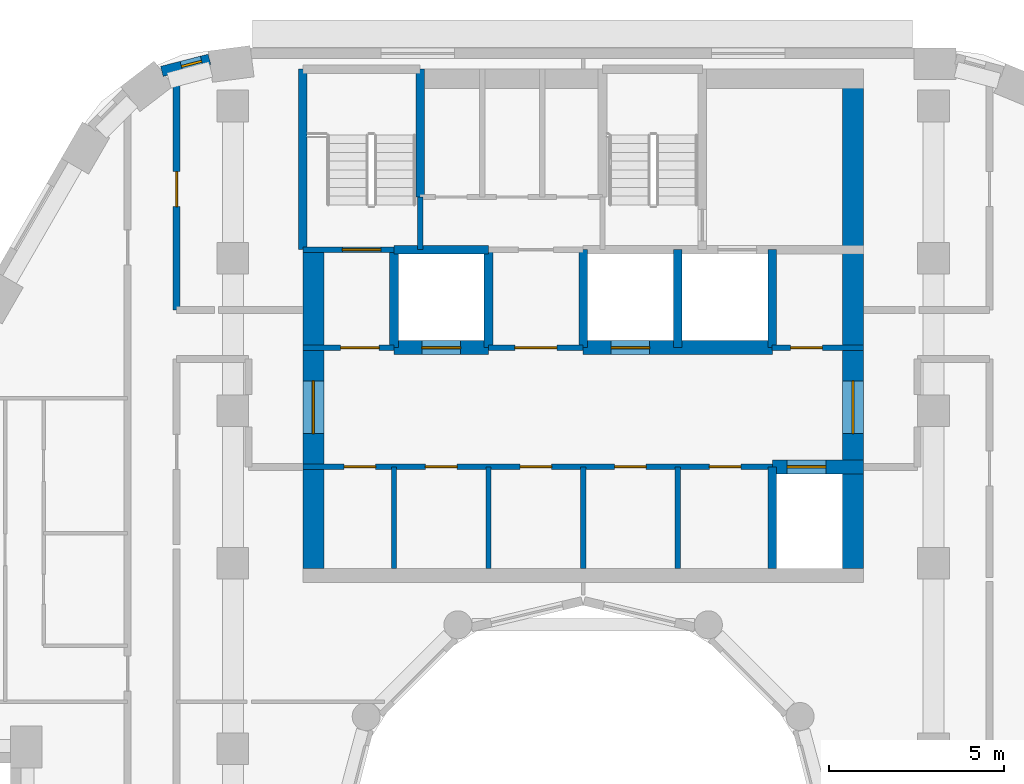
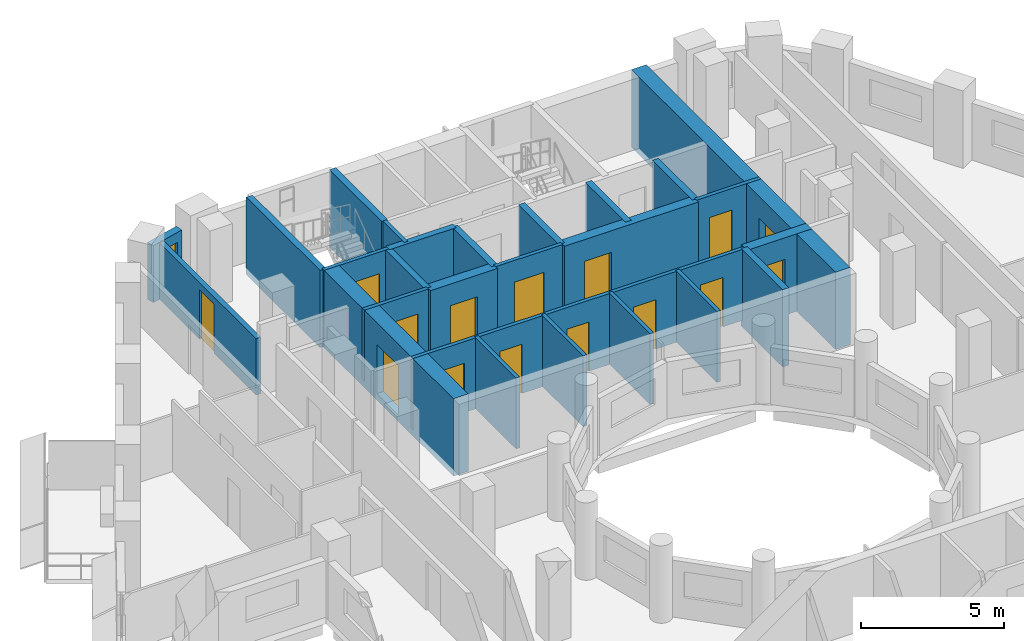
# One storey, part 8 of 17: 26 walls, 15 doors, 1 window, 16 openings.
"""IFC4 building model written with IfcOpenShell, lengths in metres."""

from ifc_helpers import new_model, si_unit, direction, frame, frame_2d, origin, place, context, subcontext, project, spatial, rectangle, extrude, material, layer, layer_set, type_object, element, fill, save


model = new_model("IFC4")

# Units and contexts
model_context = context("Model", 3, precision=1e-05, world=origin(), true_north=direction((0.0, 1.0)))
body_context = subcontext(model_context, "Body", "Model", "MODEL_VIEW")
ifc_project = project(units=[si_unit("LENGTHUNIT", "METRE"), si_unit("AREAUNIT", "SQUARE_METRE"), si_unit("VOLUMEUNIT", "CUBIC_METRE"), si_unit("PLANEANGLEUNIT", "RADIAN"), si_unit("MASSUNIT", "GRAM", prefix="KILO")], contexts=[model_context])

# Site, building, storey
site_placement = place(None, origin())
site = spatial("IfcSite", under=ifc_project, at=site_placement, CompositionType="ELEMENT")
building_placement = place(site_placement, origin())
building = spatial("IfcBuilding", under=site, at=building_placement, Name="Nakaniwa Court", CompositionType="ELEMENT")
storey_placement = place(building_placement, frame((0.0, 0.0, 206.39990234375)))
storey = spatial("IfcBuildingStorey", under=building, at=storey_placement, Name="L54", CompositionType="ELEMENT", Elevation=206.39990234375)

# Wall, opening, door
ifc_material_1 = material(Name="Acoustic double stud partition")
ifc_layer_1 = layer(ifc_material_1, 0.199951171875)
ifc_layer_set_1 = layer_set([ifc_layer_1], Name="Acoustic double stud partition")
wall_type_1 = type_object("IfcWallType", Name="Acoustic double stud partition 200", PredefinedType="PARTITIONING", material=ifc_layer_set_1)
wall_1_placement = place(storey_placement, frame((68.39990234375, 102.07373046875, 0.0), z_axis=(0.0, 0.0, 1.0), x_axis=(0.0, -1.0, 0.0)))
wall_1 = element("IfcWall", 1, at=wall_1_placement, inside=storey, type_object=wall_type_1, Name="Partition PW-106", PredefinedType="PARTITIONING", context=body_context, shape_type="SweptSolid", body=[
    extrude(rectangle(XDim=6.898681640625, YDim=0.199951171875, at=frame_2d((3.44921875, 0.0))), origin(), (0.0, 0.0, 1.0), 2.405029296875),
])
opening_1_placement = place(wall_1_placement, frame((2.948974609375, 0.0, 0.0)))
opening_1 = element("IfcOpeningElement", 2, at=opening_1_placement, cuts=wall_1, Name="Opening D-02-07", PredefinedType="OPENING", context=body_context, shape_type="SweptSolid", body=[
    extrude(rectangle(XDim=1.0, YDim=2.10009765625, at=frame_2d((0.5, 1.050048828125))), frame((0.0, 0.10986328125, 0.0), z_axis=(0.0, -1.0, 0.0), x_axis=(1.0, 0.0, 0.0)), (0.0, 0.0, 1.0), 0.219970703125),
])
ifc_material_2 = material(Name="Solid core timber door set, black veneer", Category="wood")
door_type_1 = type_object("IfcDoorType", Name="Internal door 1000", OperationType="NOTDEFINED", PredefinedType="DOOR", material=ifc_material_2)
door_1_placement = place(opening_1_placement, origin())
door_1 = element("IfcDoor", 3, at=door_1_placement, inside=storey, type_object=door_type_1, Name="Door D-02-07 L54-056", OperationType="SINGLE_SWING_LEFT", OverallHeight=2.10009765625, OverallWidth=1.0, PredefinedType="DOOR", context=body_context, shape_type="SweptSolid", body=[
    extrude(rectangle(XDim=1.0, YDim=2.10009765625, at=frame_2d((0.5, 1.050048828125))), frame((0.0, 0.02490234375, 0.0), z_axis=(0.0, -1.0, 0.0), x_axis=(1.0, 0.0, 0.0)), (0.0, 0.0, 1.0), 0.050048828125),
])
fill(opening_1, door_1)

# Wall, opening, window
ifc_material_3 = material(Name="Charcoal ceramic cladding")
ifc_layer_2 = layer(ifc_material_3, 0.02, Name="Ceramic cladding")
ifc_material_4 = material(Name="Ventilated air cavity")
ifc_layer_3 = layer(ifc_material_4, 0.04, ventilated=True, Name="Ventilated cavity")
ifc_material_5 = material(Name="Mineral wool insulation")
ifc_layer_4 = layer(ifc_material_5, 0.1, Name="Insulation")
ifc_material_6 = material(Name="Cement bonded sheathing board")
ifc_layer_5 = layer(ifc_material_6, 0.012, Name="Sheathing")
ifc_material_7 = material(Name="Cold-formed galvanised stud frame with mineral wool infill")
ifc_layer_6 = layer(ifc_material_7, 0.1, Name="Stud frame")
ifc_material_8 = material(Name="Fire-rated gypsum plasterboard lining")
ifc_layer_7 = layer(ifc_material_8, 0.028, Name="Lining")
ifc_layer_set_2 = layer_set([ifc_layer_2, ifc_layer_3, ifc_layer_4, ifc_layer_5, ifc_layer_6, ifc_layer_7], Name="Charcoal ceramic faced external wall system")
wall_type_2 = type_object("IfcWallType", Name="Black ceramic faced external wall 300", PredefinedType="SOLIDWALL", material=ifc_layer_set_2)
wall_2_placement = place(storey_placement, frame((69.3359375, 102.333251953125, 0.0), z_axis=(0.0, 0.0, 1.0), x_axis=(-0.969037396898, -0.246914000036, 0.0)))
wall_2 = element("IfcWall", 4, at=wall_2_placement, inside=storey, type_object=wall_type_2, Name="L54 external wall 09", PredefinedType="SOLIDWALL", context=body_context, shape_type="SweptSolid", body=[
    extrude(rectangle(XDim=1.403076171875, YDim=0.300048828125, at=frame_2d((0.70166015625, 0.0))), origin(), (0.0, 0.0, 1.0), 2.425048828125),
])
opening_2_placement = place(wall_2_placement, frame((0.22900390625, 0.0, 0.89990234375)))
opening_2 = element("IfcOpeningElement", 5, at=opening_2_placement, cuts=wall_2, Name="Opening W8.11", PredefinedType="OPENING", context=body_context, shape_type="SweptSolid", body=[
    extrude(rectangle(XDim=0.60009765625, YDim=1.10009765625, at=frame_2d((0.300048828125, 0.550048828125))), frame((0.0, 0.159912109375, 0.0), z_axis=(0.0, -1.0, 0.0), x_axis=(1.0, 0.0, 0.0)), (0.0, 0.0, 1.0), 0.320068359375),
])
ifc_material_9 = material(Name="Black anodised aluminium frame with dark low-E laminated double glazing", Category="aluminium")
window_type = type_object("IfcWindowType", Name="Dark glass window 600x1100 sill 900", PartitioningType="SINGLE_PANEL", PredefinedType="WINDOW", material=ifc_material_9)
window_placement = place(opening_2_placement, origin())
window = element("IfcWindow", 6, at=window_placement, inside=storey, type_object=window_type, Name="L54 habitable room window 09-0", OverallHeight=1.10009765625, OverallWidth=0.60009765625, PartitioningType="SINGLE_PANEL", PredefinedType="WINDOW", context=body_context, shape_type="SweptSolid", body=[
    extrude(rectangle(XDim=0.60009765625, YDim=1.10009765625, at=frame_2d((0.300048828125, 0.550048828125))), frame((0.0, 0.030029296875, 0.0), z_axis=(0.0, -1.0, 0.0), x_axis=(1.0, 0.0, 0.0)), (0.0, 0.0, 1.0), 0.06005859375),
])
fill(opening_2, window)

# Wall
ifc_material_10 = material(Name="Blockwork partition", Category="masonry")
ifc_layer_8 = layer(ifc_material_10, 0.14990234375)
ifc_layer_set_3 = layer_set([ifc_layer_8], Name="Blockwork partition")
wall_type_3 = type_object("IfcWallType", Name="Blockwork partition 150", PredefinedType="PARTITIONING", material=ifc_layer_set_3)
wall_3_placement = place(storey_placement, frame((74.60009765625, 87.800048828125, 0.0), z_axis=(0.0, 0.0, 1.0), x_axis=(0.0, 1.0, 0.0)))
element("IfcWall", 7, at=wall_3_placement, inside=storey, type_object=wall_type_3, Name="Partition PW-001", PredefinedType="PARTITIONING", context=body_context, shape_type="SweptSolid", body=[
    extrude(rectangle(XDim=2.89990234375, YDim=0.14990234375, at=frame_2d((1.449951171875, 0.0))), origin(), (0.0, 0.0, 1.0), 3.025146484375),
])

# Wall, openings, doors
wall_4_placement = place(storey_placement, frame((85.39990234375, 90.699951171875, 0.0), z_axis=(0.0, 0.0, 1.0), x_axis=(-1.0, 0.0, 0.0)))
wall_4 = element("IfcWall", 8, at=wall_4_placement, inside=storey, type_object=wall_type_3, Name="Partition PW-002", PredefinedType="PARTITIONING", context=body_context, shape_type="SweptSolid", body=[
    extrude(rectangle(XDim=13.39990234375, YDim=0.14990234375, at=frame_2d((6.699951171875, 0.0))), origin(), (0.0, 0.0, 1.0), 3.025146484375),
])
opening_3_placement = place(wall_4_placement, frame((11.324951171875, 0.0, 0.0)))
opening_3 = element("IfcOpeningElement", 9, at=opening_3_placement, cuts=wall_4, Name="Opening D-05-01", PredefinedType="OPENING", context=body_context, shape_type="SweptSolid", body=[
    extrude(rectangle(XDim=0.89990234375, YDim=2.10009765625, at=frame_2d((0.449951171875, 1.050048828125))), frame((0.0, 0.0849609375, 0.0), z_axis=(0.0, -1.0, 0.0), x_axis=(1.0, 0.0, 0.0)), (0.0, 0.0, 1.0), 0.169921875),
])
opening_4_placement = place(wall_4_placement, frame((9.0, 0.0, 0.0)))
opening_4 = element("IfcOpeningElement", 10, at=opening_4_placement, cuts=wall_4, Name="Opening D-05-02", PredefinedType="OPENING", context=body_context, shape_type="SweptSolid", body=[
    extrude(rectangle(XDim=0.89990234375, YDim=2.10009765625, at=frame_2d((0.449951171875, 1.050048828125))), frame((0.0, 0.0849609375, 0.0), z_axis=(0.0, -1.0, 0.0), x_axis=(1.0, 0.0, 0.0)), (0.0, 0.0, 1.0), 0.169921875),
])
opening_5_placement = place(wall_4_placement, frame((6.300048828125, 0.0, 0.0)))
opening_5 = element("IfcOpeningElement", 11, at=opening_5_placement, cuts=wall_4, Name="Opening D-05-03", PredefinedType="OPENING", context=body_context, shape_type="SweptSolid", body=[
    extrude(rectangle(XDim=0.89990234375, YDim=2.10009765625, at=frame_2d((0.449951171875, 1.050048828125))), frame((0.0, 0.0849609375, 0.0), z_axis=(0.0, -1.0, 0.0), x_axis=(1.0, 0.0, 0.0)), (0.0, 0.0, 1.0), 0.169921875),
])
opening_6_placement = place(wall_4_placement, frame((3.60009765625, 0.0, 0.0)))
opening_6 = element("IfcOpeningElement", 12, at=opening_6_placement, cuts=wall_4, Name="Opening D-05-04", PredefinedType="OPENING", context=body_context, shape_type="SweptSolid", body=[
    extrude(rectangle(XDim=0.89990234375, YDim=2.10009765625, at=frame_2d((0.449951171875, 1.050048828125))), frame((0.0, 0.0849609375, 0.0), z_axis=(0.0, -1.0, 0.0), x_axis=(1.0, 0.0, 0.0)), (0.0, 0.0, 1.0), 0.169921875),
])
opening_7_placement = place(wall_4_placement, frame((0.89990234375, 0.0, 0.0)))
opening_7 = element("IfcOpeningElement", 13, at=opening_7_placement, cuts=wall_4, Name="Opening D-05-05", PredefinedType="OPENING", context=body_context, shape_type="SweptSolid", body=[
    extrude(rectangle(XDim=0.89990234375, YDim=2.10009765625, at=frame_2d((0.449951171875, 1.050048828125))), frame((0.0, 0.0849609375, 0.0), z_axis=(0.0, -1.0, 0.0), x_axis=(1.0, 0.0, 0.0)), (0.0, 0.0, 1.0), 0.169921875),
])
ifc_material_11 = material(Name="Fire rated steel door set", Category="steel")
door_type_2 = type_object("IfcDoorType", Name="Service room door 900", OperationType="NOTDEFINED", PredefinedType="DOOR", material=ifc_material_11)
door_2_placement = place(opening_3_placement, origin())
door_2 = element("IfcDoor", 14, at=door_2_placement, inside=storey, type_object=door_type_2, Name="Door D-05-01 L54-001", OperationType="SINGLE_SWING_RIGHT", OverallHeight=2.10009765625, OverallWidth=0.89990234375, PredefinedType="DOOR", context=body_context, shape_type="SweptSolid", body=[
    extrude(rectangle(XDim=0.89990234375, YDim=2.10009765625, at=frame_2d((0.449951171875, 1.050048828125))), frame((0.0, 0.02490234375, 0.0), z_axis=(0.0, -1.0, 0.0), x_axis=(1.0, 0.0, 0.0)), (0.0, 0.0, 1.0), 0.050048828125),
])
fill(opening_3, door_2)
door_3_placement = place(opening_4_placement, origin())
door_3 = element("IfcDoor", 15, at=door_3_placement, inside=storey, type_object=door_type_2, Name="Door D-05-02 L54-002", OperationType="SINGLE_SWING_LEFT", OverallHeight=2.10009765625, OverallWidth=0.89990234375, PredefinedType="DOOR", context=body_context, shape_type="SweptSolid", body=[
    extrude(rectangle(XDim=0.89990234375, YDim=2.10009765625, at=frame_2d((0.449951171875, 1.050048828125))), frame((0.0, 0.02490234375, 0.0), z_axis=(0.0, -1.0, 0.0), x_axis=(1.0, 0.0, 0.0)), (0.0, 0.0, 1.0), 0.050048828125),
])
fill(opening_4, door_3)
door_4_placement = place(opening_5_placement, origin())
door_4 = element("IfcDoor", 16, at=door_4_placement, inside=storey, type_object=door_type_2, Name="Door D-05-03 L54-003", OperationType="SINGLE_SWING_RIGHT", OverallHeight=2.10009765625, OverallWidth=0.89990234375, PredefinedType="DOOR", context=body_context, shape_type="SweptSolid", body=[
    extrude(rectangle(XDim=0.89990234375, YDim=2.10009765625, at=frame_2d((0.449951171875, 1.050048828125))), frame((0.0, 0.02490234375, 0.0), z_axis=(0.0, -1.0, 0.0), x_axis=(1.0, 0.0, 0.0)), (0.0, 0.0, 1.0), 0.050048828125),
])
fill(opening_5, door_4)
door_5_placement = place(opening_6_placement, origin())
door_5 = element("IfcDoor", 17, at=door_5_placement, inside=storey, type_object=door_type_2, Name="Door D-05-04 L54-004", OperationType="SINGLE_SWING_LEFT", OverallHeight=2.10009765625, OverallWidth=0.89990234375, PredefinedType="DOOR", context=body_context, shape_type="SweptSolid", body=[
    extrude(rectangle(XDim=0.89990234375, YDim=2.10009765625, at=frame_2d((0.449951171875, 1.050048828125))), frame((0.0, 0.02490234375, 0.0), z_axis=(0.0, -1.0, 0.0), x_axis=(1.0, 0.0, 0.0)), (0.0, 0.0, 1.0), 0.050048828125),
])
fill(opening_6, door_5)
door_6_placement = place(opening_7_placement, origin())
door_6 = element("IfcDoor", 18, at=door_6_placement, inside=storey, type_object=door_type_2, Name="Door D-05-05 L54-005", OperationType="SINGLE_SWING_RIGHT", OverallHeight=2.10009765625, OverallWidth=0.89990234375, PredefinedType="DOOR", context=body_context, shape_type="SweptSolid", body=[
    extrude(rectangle(XDim=0.89990234375, YDim=2.10009765625, at=frame_2d((0.449951171875, 1.050048828125))), frame((0.0, 0.02490234375, 0.0), z_axis=(0.0, -1.0, 0.0), x_axis=(1.0, 0.0, 0.0)), (0.0, 0.0, 1.0), 0.050048828125),
])
fill(opening_7, door_6)

# Walls
for number, where, z_axis, x_axis, name in (
    (19, (77.300048828125, 87.800048828125, 0.0), (0.0, 0.0, 1.0), (0.0, 1.0, 0.0), "Partition PW-008"),
    (20, (80.0, 87.800048828125, 0.0), (0.0, 0.0, 1.0), (0.0, 1.0, 0.0), "Partition PW-009"),
    (21, (82.699951171875, 87.800048828125, 0.0), (0.0, 0.0, 1.0), (0.0, 1.0, 0.0), "Partition PW-010"),
):
    element("IfcWall", number, at=place(storey_placement, frame(where, z_axis=z_axis, x_axis=x_axis)), inside=storey, type_object=wall_type_3, Name=name, PredefinedType="PARTITIONING", context=body_context, shape_type="SweptSolid", body=[
        extrude(rectangle(XDim=2.89990234375, YDim=0.14990234375, at=frame_2d((1.449951171875, 0.0))), origin(), (0.0, 0.0, 1.0), 3.025146484375),
    ])

# Wall, opening, door
wall_5_placement = place(storey_placement, frame((72.0, 94.10009765625, 0.0), z_axis=(0.0, 0.0, 1.0), x_axis=(1.0, 0.0, 0.0)))
wall_5 = element("IfcWall", 22, at=wall_5_placement, inside=storey, type_object=wall_type_3, Name="Partition PW-011", PredefinedType="PARTITIONING", context=body_context, shape_type="SweptSolid", body=[
    extrude(rectangle(XDim=2.60302734375, YDim=0.14990234375, at=frame_2d((1.301513671875, 0.0))), origin(), (0.0, 0.0, 1.0), 3.025146484375),
])
opening_8_placement = place(wall_5_placement, frame((1.074951171875, 0.0, 0.0)))
opening_8 = element("IfcOpeningElement", 23, at=opening_8_placement, cuts=wall_5, Name="Opening D-08-01", PredefinedType="OPENING", context=body_context, shape_type="SweptSolid", body=[
    extrude(rectangle(XDim=1.10009765625, YDim=2.10009765625, at=frame_2d((0.550048828125, 1.050048828125))), frame((0.0, 0.0849609375, 0.0), z_axis=(0.0, -1.0, 0.0), x_axis=(1.0, 0.0, 0.0)), (0.0, 0.0, 1.0), 0.169921875),
])
door_type_3 = type_object("IfcDoorType", Name="Stair lobby door 1100", OperationType="NOTDEFINED", PredefinedType="DOOR", material=ifc_material_11)
door_7_placement = place(opening_8_placement, origin())
door_7 = element("IfcDoor", 24, at=door_7_placement, inside=storey, type_object=door_type_3, Name="Door D-08-01 L54-006", OperationType="SINGLE_SWING_LEFT", OverallHeight=2.10009765625, OverallWidth=1.10009765625, PredefinedType="DOOR", context=body_context, shape_type="SweptSolid", body=[
    extrude(rectangle(XDim=1.10009765625, YDim=2.10009765625, at=frame_2d((0.550048828125, 1.050048828125))), frame((0.0, 0.02490234375, 0.0), z_axis=(0.0, -1.0, 0.0), x_axis=(1.0, 0.0, 0.0)), (0.0, 0.0, 1.0), 0.050048828125),
])
fill(opening_8, door_7)

wall_6_placement = place(storey_placement, frame((77.297119140625, 94.10009765625, 0.0), z_axis=(0.0, 0.0, 1.0), x_axis=(1.0, 0.0, 0.0)))
wall_6 = element("IfcWall", 25, at=wall_6_placement, inside=storey, type_object=wall_type_3, Name="Partition PW-012", PredefinedType="PARTITIONING", context=body_context, shape_type="SweptSolid", body=[
    extrude(rectangle(XDim=2.705810546875, YDim=0.14990234375, at=frame_2d((1.35302734375, 0.0))), origin(), (0.0, 0.0, 1.0), 3.025146484375),
])
opening_9_placement = place(wall_6_placement, frame((0.7529296875, 0.0, 0.0)))
opening_9 = element("IfcOpeningElement", 26, at=opening_9_placement, cuts=wall_6, Name="Opening D-06-01", PredefinedType="OPENING", context=body_context, shape_type="SweptSolid", body=[
    extrude(rectangle(XDim=1.199951171875, YDim=2.10009765625, at=frame_2d((0.60009765625, 1.050048828125))), frame((0.0, 0.0849609375, 0.0), z_axis=(0.0, -1.0, 0.0), x_axis=(1.0, 0.0, 0.0)), (0.0, 0.0, 1.0), 0.169921875),
])
ifc_material_12 = material(Name="Fire rated steel double door set", Category="steel")
door_type_4 = type_object("IfcDoorType", Name="Service passage double door 1200", OperationType="NOTDEFINED", PredefinedType="DOOR", material=ifc_material_12)
door_8_placement = place(opening_9_placement, origin())
door_8 = element("IfcDoor", 27, at=door_8_placement, inside=storey, type_object=door_type_4, Name="Door D-06-01 L54-007", OperationType="DOUBLE_DOOR_SINGLE_SWING", OverallHeight=2.10009765625, OverallWidth=1.199951171875, PredefinedType="DOOR", context=body_context, shape_type="SweptSolid", body=[
    extrude(rectangle(XDim=1.199951171875, YDim=2.10009765625, at=frame_2d((0.60009765625, 1.050048828125))), frame((0.0, 0.02490234375, 0.0), z_axis=(0.0, -1.0, 0.0), x_axis=(1.0, 0.0, 0.0)), (0.0, 0.0, 1.0), 0.050048828125),
])
fill(opening_9, door_8)

wall_7_placement = place(storey_placement, frame((85.39697265625, 94.10009765625, 0.0), z_axis=(0.0, 0.0, 1.0), x_axis=(1.0, 0.0, 0.0)))
wall_7 = element("IfcWall", 28, at=wall_7_placement, inside=storey, type_object=wall_type_3, Name="Partition PW-013", PredefinedType="PARTITIONING", context=body_context, shape_type="SweptSolid", body=[
    extrude(rectangle(XDim=2.60302734375, YDim=0.14990234375, at=frame_2d((1.301513671875, 0.0))), origin(), (0.0, 0.0, 1.0), 3.025146484375),
])
opening_10_placement = place(wall_7_placement, frame((0.528076171875, 0.0, 0.0)))
opening_10 = element("IfcOpeningElement", 29, at=opening_10_placement, cuts=wall_7, Name="Opening D-05-06", PredefinedType="OPENING", context=body_context, shape_type="SweptSolid", body=[
    extrude(rectangle(XDim=0.89990234375, YDim=2.10009765625, at=frame_2d((0.449951171875, 1.050048828125))), frame((0.0, 0.0849609375, 0.0), z_axis=(0.0, -1.0, 0.0), x_axis=(1.0, 0.0, 0.0)), (0.0, 0.0, 1.0), 0.169921875),
])
door_9_placement = place(opening_10_placement, origin())
door_9 = element("IfcDoor", 30, at=door_9_placement, inside=storey, type_object=door_type_2, Name="Door D-05-06 L54-008", OperationType="SINGLE_SWING_LEFT", OverallHeight=2.10009765625, OverallWidth=0.89990234375, PredefinedType="DOOR", context=body_context, shape_type="SweptSolid", body=[
    extrude(rectangle(XDim=0.89990234375, YDim=2.10009765625, at=frame_2d((0.449951171875, 1.050048828125))), frame((0.0, 0.02490234375, 0.0), z_axis=(0.0, -1.0, 0.0), x_axis=(1.0, 0.0, 0.0)), (0.0, 0.0, 1.0), 0.050048828125),
])
fill(opening_10, door_9)

ifc_material_13 = material(Name="Concrete C80/100", Category="concrete")
ifc_layer_9 = layer(ifc_material_13, 0.60009765625)
ifc_layer_set_4 = layer_set([ifc_layer_9], Name="Concrete C80/100")
wall_type_4 = type_object("IfcWallType", Name="Concrete core side wall 600 C80", PredefinedType="SHEAR", material=ifc_layer_set_4)
wall_8_placement = place(storey_placement, frame((72.300048828125, 87.800048828125, -0.27490234375), z_axis=(0.0, 0.0, 1.0), x_axis=(0.0, 1.0, 0.0)))
wall_8 = element("IfcWall", 31, at=wall_8_placement, inside=storey, type_object=wall_type_4, Name="Core wall SW-03", PredefinedType="SHEAR", context=body_context, shape_type="SweptSolid", body=[
    extrude(rectangle(XDim=9.099853515625, YDim=0.60009765625, at=frame_2d((4.5498046875, 0.0))), origin(), (0.0, 0.0, 1.0), 3.300048828125),
])
opening_11_placement = place(wall_8_placement, frame((3.85205078125, 0.0, 0.27490234375)))
opening_11 = element("IfcOpeningElement", 32, at=opening_11_placement, cuts=wall_8, Name="Opening D-07-02", PredefinedType="OPENING", context=body_context, shape_type="SweptSolid", body=[
    extrude(rectangle(XDim=1.5, YDim=2.10009765625, at=frame_2d((0.75, 1.050048828125))), frame((0.0, 0.31005859375, 0.0), z_axis=(0.0, -1.0, 0.0), x_axis=(1.0, 0.0, 0.0)), (0.0, 0.0, 1.0), 0.6201171875),
])
ifc_material_14 = material(Name="Glazed fire rated steel double door set", Category="steel")
door_type_5 = type_object("IfcDoorType", Name="Lobby double door 1500", OperationType="NOTDEFINED", PredefinedType="DOOR", material=ifc_material_14)
door_10_placement = place(opening_11_placement, origin())
door_10 = element("IfcDoor", 33, at=door_10_placement, inside=storey, type_object=door_type_5, Name="Door D-07-02 L54-062", OperationType="DOUBLE_DOOR_SINGLE_SWING", OverallHeight=2.10009765625, OverallWidth=1.5, PredefinedType="DOOR", context=body_context, shape_type="SweptSolid", body=[
    extrude(rectangle(XDim=1.5, YDim=2.10009765625, at=frame_2d((0.75, 1.050048828125))), frame((0.0, 0.02490234375, 0.0), z_axis=(0.0, -1.0, 0.0), x_axis=(1.0, 0.0, 0.0)), (0.0, 0.0, 1.0), 0.050048828125),
])
fill(opening_11, door_10)

wall_9_placement = place(storey_placement, frame((87.699951171875, 102.050048828125, -0.27490234375), z_axis=(0.0, 0.0, 1.0), x_axis=(0.0, -1.0, 0.0)))
wall_9 = element("IfcWall", 34, at=wall_9_placement, inside=storey, type_object=wall_type_4, Name="Core wall SW-07", PredefinedType="SHEAR", context=body_context, shape_type="SweptSolid", body=[
    extrude(rectangle(XDim=14.25, YDim=0.60009765625, at=frame_2d((7.125, 0.0))), origin(), (0.0, 0.0, 1.0), 3.300048828125),
])
opening_12_placement = place(wall_9_placement, frame((8.89794921875, 0.0, 0.27490234375)))
opening_12 = element("IfcOpeningElement", 35, at=opening_12_placement, cuts=wall_9, Name="Opening D-07-01", PredefinedType="OPENING", context=body_context, shape_type="SweptSolid", body=[
    extrude(rectangle(XDim=1.5, YDim=2.10009765625, at=frame_2d((0.75, 1.050048828125))), frame((0.0, 0.31005859375, 0.0), z_axis=(0.0, -1.0, 0.0), x_axis=(1.0, 0.0, 0.0)), (0.0, 0.0, 1.0), 0.6201171875),
])
door_11_placement = place(opening_12_placement, origin())
door_11 = element("IfcDoor", 36, at=door_11_placement, inside=storey, type_object=door_type_5, Name="Door D-07-01 L54-061", OperationType="DOUBLE_DOOR_SINGLE_SWING", OverallHeight=2.10009765625, OverallWidth=1.5, PredefinedType="DOOR", context=body_context, shape_type="SweptSolid", body=[
    extrude(rectangle(XDim=1.5, YDim=2.10009765625, at=frame_2d((0.75, 1.050048828125))), frame((0.0, 0.02490234375, 0.0), z_axis=(0.0, -1.0, 0.0), x_axis=(1.0, 0.0, 0.0)), (0.0, 0.0, 1.0), 0.050048828125),
])
fill(opening_12, door_11)

ifc_layer_10 = layer(ifc_material_13, 0.39990234375)
ifc_layer_set_5 = layer_set([ifc_layer_10], Name="Concrete C80/100")
wall_type_5 = type_object("IfcWallType", Name="Concrete core spine wall 400 C80", PredefinedType="SHEAR", material=ifc_layer_set_5)
wall_10_placement = place(storey_placement, frame((85.39990234375, 90.699951171875, -0.27490234375), z_axis=(0.0, 0.0, 1.0), x_axis=(1.0, 0.0, 0.0)))
wall_10 = element("IfcWall", 37, at=wall_10_placement, inside=storey, type_object=wall_type_5, Name="Core wall SW-06", PredefinedType="SHEAR", context=body_context, shape_type="SweptSolid", body=[
    extrude(rectangle(XDim=2.60009765625, YDim=0.39990234375, at=frame_2d((1.300048828125, 0.0))), origin(), (0.0, 0.0, 1.0), 3.300048828125),
])
opening_13_placement = place(wall_10_placement, frame((0.425048828125, 0.0, 0.27490234375)))
opening_13 = element("IfcOpeningElement", 38, at=opening_13_placement, cuts=wall_10, Name="Opening LD01", PredefinedType="OPENING", context=body_context, shape_type="SweptSolid", body=[
    extrude(rectangle(XDim=1.10009765625, YDim=2.10009765625, at=frame_2d((0.550048828125, 1.050048828125))), frame((0.0, 0.2099609375, 0.0), z_axis=(0.0, -1.0, 0.0), x_axis=(1.0, 0.0, 0.0)), (0.0, 0.0, 1.0), 0.419921875),
])
ifc_material_15 = material(Name="Stainless steel sliding lift landing door", Category="steel")
door_type_6 = type_object("IfcDoorType", Name="Lift landing door 1100", OperationType="NOTDEFINED", PredefinedType="DOOR", material=ifc_material_15)
door_12_placement = place(opening_13_placement, origin())
door_12 = element("IfcDoor", 39, at=door_12_placement, inside=storey, type_object=door_type_6, Name="Lift landing door LD01 L54-001", OperationType="SLIDING_TO_LEFT", OverallHeight=2.10009765625, OverallWidth=1.10009765625, PredefinedType="DOOR", context=body_context, shape_type="SweptSolid", body=[
    extrude(rectangle(XDim=1.10009765625, YDim=2.10009765625, at=frame_2d((0.550048828125, 1.050048828125))), frame((0.0, 0.02490234375, 0.0), z_axis=(0.0, -1.0, 0.0), x_axis=(1.0, 0.0, 0.0)), (0.0, 0.0, 1.0), 0.050048828125),
])
fill(opening_13, door_12)

wall_11_placement = place(storey_placement, frame((74.596923828125, 94.10009765625, -0.27490234375), z_axis=(0.0, 0.0, 1.0), x_axis=(1.0, 0.0, 0.0)))
wall_11 = element("IfcWall", 40, at=wall_11_placement, inside=storey, type_object=wall_type_5, Name="Core wall SW-14", PredefinedType="SHEAR", context=body_context, shape_type="SweptSolid", body=[
    extrude(rectangle(XDim=2.7060546875, YDim=0.39990234375, at=frame_2d((1.35302734375, 0.0))), origin(), (0.0, 0.0, 1.0), 3.300048828125),
])
opening_14_placement = place(wall_11_placement, frame((0.802978515625, 0.0, 0.27490234375)))
opening_14 = element("IfcOpeningElement", 41, at=opening_14_placement, cuts=wall_11, Name="Opening LD02", PredefinedType="OPENING", context=body_context, shape_type="SweptSolid", body=[
    extrude(rectangle(XDim=1.10009765625, YDim=2.10009765625, at=frame_2d((0.550048828125, 1.050048828125))), frame((0.0, 0.2099609375, 0.0), z_axis=(0.0, -1.0, 0.0), x_axis=(1.0, 0.0, 0.0)), (0.0, 0.0, 1.0), 0.419921875),
])
door_13_placement = place(opening_14_placement, origin())
door_13 = element("IfcDoor", 42, at=door_13_placement, inside=storey, type_object=door_type_6, Name="Lift landing door LD02 L54-002", OperationType="SLIDING_TO_LEFT", OverallHeight=2.10009765625, OverallWidth=1.10009765625, PredefinedType="DOOR", context=body_context, shape_type="SweptSolid", body=[
    extrude(rectangle(XDim=1.10009765625, YDim=2.10009765625, at=frame_2d((0.550048828125, 1.050048828125))), frame((0.0, 0.02490234375, 0.0), z_axis=(0.0, -1.0, 0.0), x_axis=(1.0, 0.0, 0.0)), (0.0, 0.0, 1.0), 0.050048828125),
])
fill(opening_14, door_13)

wall_12_placement = place(storey_placement, frame((79.9970703125, 94.10009765625, -0.27490234375), z_axis=(0.0, 0.0, 1.0), x_axis=(1.0, 0.0, 0.0)))
wall_12 = element("IfcWall", 43, at=wall_12_placement, inside=storey, type_object=wall_type_5, Name="Core wall SW-15", PredefinedType="SHEAR", context=body_context, shape_type="SweptSolid", body=[
    extrude(rectangle(XDim=5.406005859375, YDim=0.39990234375, at=frame_2d((2.703125, 0.0))), origin(), (0.0, 0.0, 1.0), 3.300048828125),
])
opening_15_placement = place(wall_12_placement, frame((0.802978515625, 0.0, 0.27490234375)))
opening_15 = element("IfcOpeningElement", 44, at=opening_15_placement, cuts=wall_12, Name="Opening LD03", PredefinedType="OPENING", context=body_context, shape_type="SweptSolid", body=[
    extrude(rectangle(XDim=1.10009765625, YDim=2.10009765625, at=frame_2d((0.550048828125, 1.050048828125))), frame((0.0, 0.2099609375, 0.0), z_axis=(0.0, -1.0, 0.0), x_axis=(1.0, 0.0, 0.0)), (0.0, 0.0, 1.0), 0.419921875),
])
door_14_placement = place(opening_15_placement, origin())
door_14 = element("IfcDoor", 45, at=door_14_placement, inside=storey, type_object=door_type_6, Name="Lift landing door LD03 L54-003", OperationType="SLIDING_TO_LEFT", OverallHeight=2.10009765625, OverallWidth=1.10009765625, PredefinedType="DOOR", context=body_context, shape_type="SweptSolid", body=[
    extrude(rectangle(XDim=1.10009765625, YDim=2.10009765625, at=frame_2d((0.550048828125, 1.050048828125))), frame((0.0, 0.02490234375, 0.0), z_axis=(0.0, -1.0, 0.0), x_axis=(1.0, 0.0, 0.0)), (0.0, 0.0, 1.0), 0.050048828125),
])
fill(opening_15, door_14)

ifc_layer_11 = layer(ifc_material_13, 0.14990234375)
ifc_layer_set_6 = layer_set([ifc_layer_11], Name="Concrete C80/100")
wall_type_6 = type_object("IfcWallType", Name="Concrete core wall 150 C80", PredefinedType="SHEAR", material=ifc_layer_set_6)
wall_13_placement = place(storey_placement, frame((74.60009765625, 96.89990234375, -0.27490234375), z_axis=(0.0, 0.0, 1.0), x_axis=(-1.0, 0.0, 0.0)))
wall_13 = element("IfcWall", 46, at=wall_13_placement, inside=storey, type_object=wall_type_6, Name="Core wall SW-17", PredefinedType="SHEAR", context=body_context, shape_type="SweptSolid", body=[
    extrude(rectangle(XDim=2.60009765625, YDim=0.14990234375, at=frame_2d((1.300048828125, 0.0))), origin(), (0.0, 0.0, 1.0), 3.300048828125),
])
opening_16_placement = place(wall_13_placement, frame((0.3701171875, 0.0, 0.27490234375)))
opening_16 = element("IfcOpeningElement", 47, at=opening_16_placement, cuts=wall_13, Name="Opening D-09-01", PredefinedType="OPENING", context=body_context, shape_type="SweptSolid", body=[
    extrude(rectangle(XDim=1.10009765625, YDim=2.10009765625, at=frame_2d((0.550048828125, 1.050048828125))), frame((0.0, 0.0849609375, 0.0), z_axis=(0.0, -1.0, 0.0), x_axis=(1.0, 0.0, 0.0)), (0.0, 0.0, 1.0), 0.169921875),
])
door_type_7 = type_object("IfcDoorType", Name="Stair door 1100", OperationType="NOTDEFINED", PredefinedType="DOOR", material=ifc_material_11)
door_15_placement = place(opening_16_placement, origin())
door_15 = element("IfcDoor", 48, at=door_15_placement, inside=storey, type_object=door_type_7, Name="Door D-09-01 L54-013", OperationType="SINGLE_SWING_LEFT", OverallHeight=2.10009765625, OverallWidth=1.10009765625, PredefinedType="DOOR", context=body_context, shape_type="SweptSolid", body=[
    extrude(rectangle(XDim=1.10009765625, YDim=2.10009765625, at=frame_2d((0.550048828125, 1.050048828125))), frame((0.0, 0.02490234375, 0.0), z_axis=(0.0, -1.0, 0.0), x_axis=(1.0, 0.0, 0.0)), (0.0, 0.0, 1.0), 0.050048828125),
])
fill(opening_16, door_15)

# Walls
wall_14_placement = place(storey_placement, frame((75.35009765625, 96.89990234375, -0.27490234375), z_axis=(0.0, 0.0, 1.0), x_axis=(0.0, 1.0, 0.0)))
element("IfcWall", 49, at=wall_14_placement, inside=storey, type_object=wall_type_6, Name="Core wall SW-24", PredefinedType="SHEAR", context=body_context, shape_type="SweptSolid", body=[
    extrude(rectangle(XDim=1.503173828125, YDim=0.14990234375, at=frame_2d((0.75146484375, 0.0))), origin(), (0.0, 0.0, 1.0), 3.300048828125),
])
ifc_layer_12 = layer(ifc_material_13, 0.25)
ifc_layer_set_7 = layer_set([ifc_layer_12], Name="Concrete C80/100")
wall_type_7 = type_object("IfcWallType", Name="Concrete core wall 250 C80", PredefinedType="SHEAR", material=ifc_layer_set_7)
wall_15_placement = place(storey_placement, frame((72.0, 96.89990234375, -0.27490234375), z_axis=(0.0, 0.0, 1.0), x_axis=(0.0, 1.0, 0.0)))
element("IfcWall", 50, at=wall_15_placement, inside=storey, type_object=wall_type_7, Name="Core wall SW-28", PredefinedType="SHEAR", context=body_context, shape_type="SweptSolid", body=[
    extrude(rectangle(XDim=5.150146484375, YDim=0.25, at=frame_2d((2.5751953125, 0.0))), origin(), (0.0, 0.0, 1.0), 3.300048828125),
])
ifc_layer_13 = layer(ifc_material_13, 0.25)
ifc_layer_set_8 = layer_set([ifc_layer_13], Name="Concrete C80/100")
wall_type_8 = type_object("IfcWallType", Name="Concrete shaft wall 250 C80", PredefinedType="SHEAR", material=ifc_layer_set_8)
wall_16_placement = place(storey_placement, frame((85.39990234375, 87.800048828125, -0.27490234375), z_axis=(0.0, 0.0, 1.0), x_axis=(0.0, 1.0, 0.0)))
element("IfcWall", 51, at=wall_16_placement, inside=storey, type_object=wall_type_8, Name="Core wall SW-04", PredefinedType="SHEAR", context=body_context, shape_type="SweptSolid", body=[
    extrude(rectangle(XDim=2.89990234375, YDim=0.25, at=frame_2d((1.449951171875, 0.0))), origin(), (0.0, 0.0, 1.0), 3.300048828125),
])
for number, where, z_axis, x_axis, name in (
    (52, (85.39990234375, 94.10009765625, -0.27490234375), (0.0, 0.0, 1.0), (0.0, 1.0, 0.0), "Core wall SW-05"),
    (53, (74.60009765625, 94.10009765625, -0.27490234375), (0.0, 0.0, 1.0), (0.0, 1.0, 0.0), "Core wall SW-16"),
    (54, (77.300048828125, 94.10009765625, -0.27490234375), (0.0, 0.0, 1.0), (0.0, 1.0, 0.0), "Core wall SW-18"),
):
    element("IfcWall", number, at=place(storey_placement, frame(where, z_axis=z_axis, x_axis=x_axis)), inside=storey, type_object=wall_type_8, Name=name, PredefinedType="SHEAR", context=body_context, shape_type="SweptSolid", body=[
        extrude(rectangle(XDim=2.7998046875, YDim=0.25, at=frame_2d((1.39990234375, 0.0))), origin(), (0.0, 0.0, 1.0), 3.300048828125),
    ])
wall_17_placement = place(storey_placement, frame((74.60009765625, 96.89990234375, -0.27490234375), z_axis=(0.0, 0.0, 1.0), x_axis=(1.0, 0.0, 0.0)))
element("IfcWall", 55, at=wall_17_placement, inside=storey, type_object=wall_type_8, Name="Core wall SW-19", PredefinedType="SHEAR", context=body_context, shape_type="SweptSolid", body=[
    extrude(rectangle(XDim=2.699951171875, YDim=0.25, at=frame_2d((1.35009765625, 0.0))), origin(), (0.0, 0.0, 1.0), 3.300048828125),
])
for number, where, z_axis, x_axis, name in (
    (56, (80.0, 94.10009765625, -0.27490234375), (0.0, 0.0, 1.0), (0.0, 1.0, 0.0), "Core wall SW-21"),
    (57, (82.699951171875, 94.10009765625, -0.27490234375), (0.0, 0.0, 1.0), (0.0, 1.0, 0.0), "Core wall SW-23"),
):
    element("IfcWall", number, at=place(storey_placement, frame(where, z_axis=z_axis, x_axis=x_axis)), inside=storey, type_object=wall_type_8, Name=name, PredefinedType="SHEAR", context=body_context, shape_type="SweptSolid", body=[
        extrude(rectangle(XDim=2.7998046875, YDim=0.25, at=frame_2d((1.39990234375, 0.0))), origin(), (0.0, 0.0, 1.0), 3.300048828125),
    ])
wall_18_placement = place(storey_placement, frame((75.35009765625, 98.39697265625, -0.27490234375), z_axis=(0.0, 0.0, 1.0), x_axis=(0.0, 1.0, 0.0)))
element("IfcWall", 58, at=wall_18_placement, inside=storey, type_object=wall_type_8, Name="Core wall SW-25", PredefinedType="SHEAR", context=body_context, shape_type="SweptSolid", body=[
    extrude(rectangle(XDim=3.653076171875, YDim=0.25, at=frame_2d((1.82666015625, 0.0))), origin(), (0.0, 0.0, 1.0), 3.300048828125),
])

save(model, "model.ifc")
